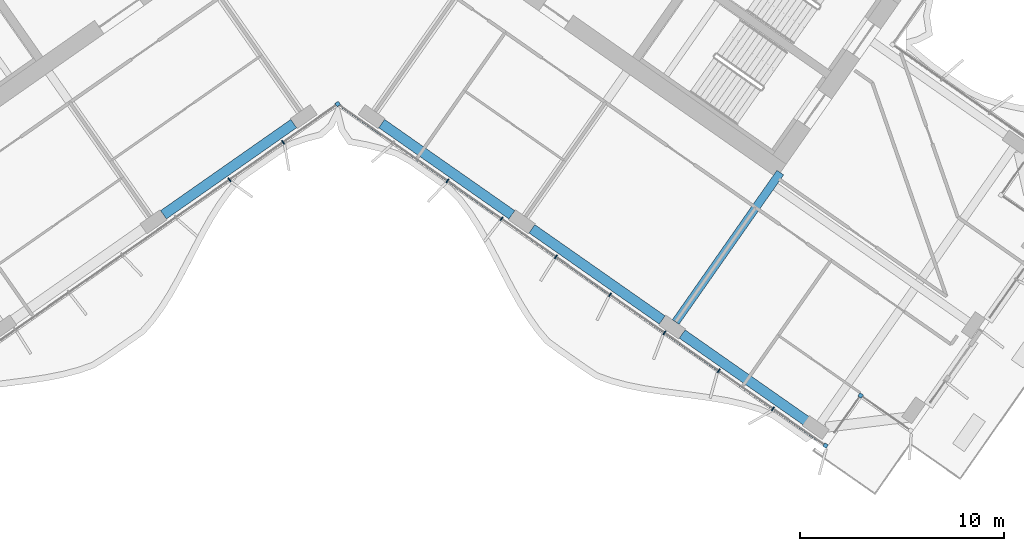
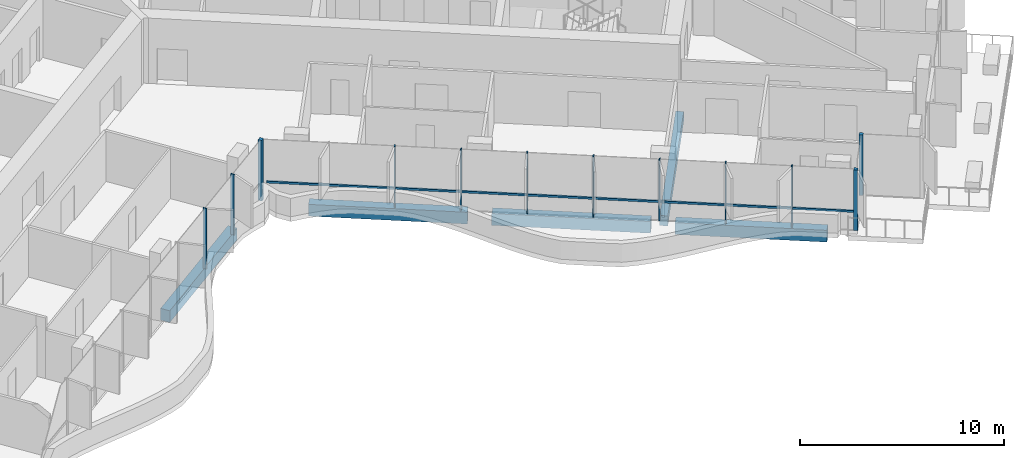
# One storey, part 5 of 23: 13 members, 5 beams, 1 element without a shape of its own.
"""IFC4 building model written with IfcOpenShell, lengths in metres."""

from ifc_helpers import new_model, si_unit, direction, frame, origin, origin_2d, place, context, subcontext, project, spatial, rectangle, extrude, material, material_profile, profile_set, type_object, element, aggregate, save


model = new_model("IFC4")

# Units and contexts
model_context = context("Model", 3, precision=1e-05, world=origin(), true_north=direction((0.0, 1.0)))
body_context = subcontext(model_context, "Body", "Model", "MODEL_VIEW")
ifc_project = project(units=[si_unit("LENGTHUNIT", "METRE"), si_unit("AREAUNIT", "SQUARE_METRE"), si_unit("VOLUMEUNIT", "CUBIC_METRE"), si_unit("PLANEANGLEUNIT", "RADIAN"), si_unit("MASSUNIT", "GRAM", prefix="KILO")], contexts=[model_context])

# Site, building, storey
site_placement = place(None, origin())
site = spatial("IfcSite", under=ifc_project, at=site_placement, CompositionType="ELEMENT")
building_placement = place(site_placement, origin())
building = spatial("IfcBuilding", under=site, at=building_placement, Name="Tel Ilan Convention Tower", CompositionType="ELEMENT")
storey_placement = place(building_placement, frame((0.0, 0.0, 190.5)))
storey = spatial("IfcBuildingStorey", under=building, at=storey_placement, Name="L44", CompositionType="ELEMENT", Elevation=190.5)

# Beams
ifc_material_1 = material(Name="Concrete C40/50", Category="concrete")
ifc_material_profile_1 = material_profile(ifc_material_1, rectangle(XDim=0.39990234375, YDim=0.60009765625, at=origin_2d()), Name="RC 400x600")
ifc_profile_set_1 = profile_set([ifc_material_profile_1], Name="Concrete C40/50")
beam_type_1 = type_object("IfcBeamType", Name="Beam RC 400x600 Concrete C40/50", PredefinedType="BEAM", material=ifc_profile_set_1)
beam_1_placement = place(storey_placement, frame((16.58203125, -23.391357421875, -0.580078125), z_axis=(0.573584999642, 0.819146048141, 0.0), x_axis=(-0.819146048141, 0.573584999642, 0.0)))
element("IfcBeam", 1, at=beam_1_placement, inside=storey, type_object=beam_type_1, Name="L44 beam E-E-F3-core", PredefinedType="BEAM", context=body_context, shape_type="SweptSolid", body=[
    extrude(rectangle(XDim=0.39990234375, YDim=0.60009765625, at=origin_2d()), origin(), (0.0, 0.0, 1.0), 8.949951171875),
])
ifc_material_2 = material(Name="Concrete C40/50", Category="concrete")
ifc_material_profile_2 = material_profile(ifc_material_2, rectangle(XDim=0.5, YDim=0.699951171875, at=origin_2d()), Name="RC 500x700")
ifc_profile_set_2 = profile_set([ifc_material_profile_2], Name="Concrete C40/50")
beam_type_2 = type_object("IfcBeamType", Name="Beam RC 500x700 Concrete C40/50", PredefinedType="BEAM", material=ifc_profile_set_2)
for number, where, z_axis, x_axis, name in (
    (2, (-2.15673828125, -13.656982421875, -0.6298828125), (-0.819153977895, -0.573573674866, 0.0), (0.573573674866, -0.819153977895, 0.0), "L44 beam W-W-F1-W-F2"),
    (3, (2.15673828125, -13.656982421875, -0.6298828125), (0.819153977895, -0.573573674866, 0.0), (0.573573674866, 0.819153977895, 0.0), "L44 beam E-E-F1-E-F2"),
    (4, (9.529052734375, -18.819091796875, -0.6298828125), (0.819153977895, -0.573573674866, 0.0), (0.573573674866, 0.819153977895, 0.0), "L44 beam E-E-F2-E-F3"),
):
    element("IfcBeam", number, at=place(storey_placement, frame(where, z_axis=z_axis, x_axis=x_axis)), inside=storey, type_object=beam_type_2, Name=name, PredefinedType="BEAM", context=body_context, shape_type="SweptSolid", body=[
        extrude(rectangle(XDim=0.5, YDim=0.699951171875, at=origin_2d()), origin(), (0.0, 0.0, 1.0), 7.800048828125),
    ])
beam_2_placement = place(storey_placement, frame((16.901611328125, -23.981201171875, -0.6298828125), z_axis=(0.819147400187, -0.573583068759, 0.0), x_axis=(0.573583068759, 0.819147400187, 0.0)))
element("IfcBeam", 5, at=beam_2_placement, inside=storey, type_object=beam_type_2, Name="L44 beam E-E-F3-E-FC", PredefinedType="BEAM", context=body_context, shape_type="SweptSolid", body=[
    extrude(rectangle(XDim=0.5, YDim=0.699951171875, at=origin_2d()), origin(), (0.0, 0.0, 1.0), 7.46435546875),
])

# Curtain wall, members
ifc_material_3 = material(Name="Aluminium, bronze anodised", Category="aluminium")
curtain_wall_type = type_object("IfcCurtainWallType", Name="CW4 STICK CURTAIN WALL, OFFICE TINTED GLASS", PredefinedType="NOTDEFINED", material=ifc_material_3)
curtain_wall_placement = place(storey_placement, origin())
curtain_wall = element("IfcCurtainWall", 6, at=curtain_wall_placement, inside=storey, type_object=curtain_wall_type, Name="Curtain wall CW4-34.04", PredefinedType="NOTDEFINED")
ifc_material_4 = material(Name="Aluminium, bronze anodised", Category="aluminium")
ifc_material_profile_3 = material_profile(ifc_material_4, rectangle(XDim=0.199951171875, YDim=0.199951171875, at=origin_2d()), Name="CW CORNER MULLION 200x200")
ifc_profile_set_3 = profile_set([ifc_material_profile_3], Name="Aluminium, bronze anodised")
member_type_1 = type_object("IfcMemberType", Name="CW CORNER MULLION 200x200", PredefinedType="MULLION", material=ifc_profile_set_3)
member_1_placement = place(storey_placement, frame((0.0, -12.696044921875, 0.0), z_axis=(0.0, 0.0, 1.0), x_axis=(0.819152044289, 0.573576436351, 0.0)))
member_1 = element("IfcMember", 7, at=member_1_placement, type_object=member_type_1, Name="Corner mullion", PredefinedType="MULLION", context=body_context, shape_type="SweptSolid", body=[
    extrude(rectangle(XDim=0.199951171875, YDim=0.199951171875, at=origin_2d()), origin(), (0.0, 0.0, 1.0), 3.6201171875),
])
member_2_placement = place(storey_placement, frame((23.933837890625, -29.454833984375, 0.0), z_axis=(0.0, 0.0, 1.0), x_axis=(0.819152044289, -0.573576436351, 0.0)))
member_2 = element("IfcMember", 8, at=member_2_placement, type_object=member_type_1, Name="Corner mullion", PredefinedType="MULLION", context=body_context, shape_type="SweptSolid", body=[
    extrude(rectangle(XDim=0.199951171875, YDim=0.199951171875, at=origin_2d()), origin(), (0.0, 0.0, 1.0), 3.6201171875),
])
member_3_placement = place(storey_placement, frame((25.654541015625, -26.997314453125, 0.0), z_axis=(0.0, 0.0, 1.0), x_axis=(0.573576436351, 0.819152044289, 0.0)))
member_3 = element("IfcMember", 9, at=member_3_placement, type_object=member_type_1, Name="Corner mullion", PredefinedType="MULLION", context=body_context, shape_type="SweptSolid", body=[
    extrude(rectangle(XDim=0.199951171875, YDim=0.199951171875, at=origin_2d()), origin(), (0.0, 0.0, 1.0), 3.6201171875),
])
ifc_material_5 = material(Name="Aluminium, bronze anodised", Category="aluminium")
ifc_material_profile_4 = material_profile(ifc_material_5, rectangle(XDim=0.06005859375, YDim=0.199951171875, at=origin_2d()), Name="CW MULLION 60x200")
ifc_profile_set_4 = profile_set([ifc_material_profile_4], Name="Aluminium, bronze anodised")
member_type_2 = type_object("IfcMemberType", Name="CW MULLION 60x200", PredefinedType="MULLION", material=ifc_profile_set_4)
member_4_placement = place(storey_placement, frame((-5.307861328125, -16.41259765625, 0.0), z_axis=(0.0, 0.0, 1.0), x_axis=(0.819152044289, 0.573576436351, 0.0)))
member_4 = element("IfcMember", 10, at=member_4_placement, type_object=member_type_2, Name="Mullion", PredefinedType="MULLION", context=body_context, shape_type="SweptSolid", body=[
    extrude(rectangle(XDim=0.06005859375, YDim=0.199951171875, at=origin_2d()), origin(), (0.0, 0.0, 1.0), 3.6201171875),
])
member_5_placement = place(storey_placement, frame((-2.6826171875, -14.574462890625, 0.0), z_axis=(0.0, 0.0, 1.0), x_axis=(0.819152044289, 0.573576436351, 0.0)))
member_5 = element("IfcMember", 11, at=member_5_placement, type_object=member_type_2, Name="Mullion", PredefinedType="MULLION", context=body_context, shape_type="SweptSolid", body=[
    extrude(rectangle(XDim=0.06005859375, YDim=0.199951171875, at=origin_2d()), origin(), (0.0, 0.0, 1.0), 3.6201171875),
])
member_6_placement = place(storey_placement, frame((5.38134765625, -16.464111328125, 0.0), z_axis=(0.0, 0.0, 1.0), x_axis=(0.819152044289, -0.573576436351, 0.0)))
member_6 = element("IfcMember", 12, at=member_6_placement, type_object=member_type_2, Name="Mullion", PredefinedType="MULLION", context=body_context, shape_type="SweptSolid", body=[
    extrude(rectangle(XDim=0.06005859375, YDim=0.199951171875, at=origin_2d()), origin(), (0.0, 0.0, 1.0), 3.6201171875),
])
member_7_placement = place(storey_placement, frame((8.04345703125, -18.328125, 0.0), z_axis=(0.0, 0.0, 1.0), x_axis=(0.819152044289, -0.573576436351, 0.0)))
member_7 = element("IfcMember", 13, at=member_7_placement, type_object=member_type_2, Name="Mullion", PredefinedType="MULLION", context=body_context, shape_type="SweptSolid", body=[
    extrude(rectangle(XDim=0.06005859375, YDim=0.199951171875, at=origin_2d()), origin(), (0.0, 0.0, 1.0), 3.6201171875),
])
member_8_placement = place(storey_placement, frame((10.70556640625, -20.192138671875, 0.0), z_axis=(0.0, 0.0, 1.0), x_axis=(0.819152044289, -0.573576436351, 0.0)))
member_8 = element("IfcMember", 14, at=member_8_placement, type_object=member_type_2, Name="Mullion", PredefinedType="MULLION", context=body_context, shape_type="SweptSolid", body=[
    extrude(rectangle(XDim=0.06005859375, YDim=0.199951171875, at=origin_2d()), origin(), (0.0, 0.0, 1.0), 3.6201171875),
])
member_9_placement = place(storey_placement, frame((13.36767578125, -22.05615234375, 0.0), z_axis=(0.0, 0.0, 1.0), x_axis=(0.819152044289, -0.573576436351, 0.0)))
member_9 = element("IfcMember", 15, at=member_9_placement, type_object=member_type_2, Name="Mullion", PredefinedType="MULLION", context=body_context, shape_type="SweptSolid", body=[
    extrude(rectangle(XDim=0.06005859375, YDim=0.199951171875, at=origin_2d()), origin(), (0.0, 0.0, 1.0), 3.6201171875),
])
member_10_placement = place(storey_placement, frame((16.029541015625, -23.920166015625, 0.0), z_axis=(0.0, 0.0, 1.0), x_axis=(0.819152044289, -0.573576436351, 0.0)))
member_10 = element("IfcMember", 16, at=member_10_placement, type_object=member_type_2, Name="Mullion", PredefinedType="MULLION", context=body_context, shape_type="SweptSolid", body=[
    extrude(rectangle(XDim=0.06005859375, YDim=0.199951171875, at=origin_2d()), origin(), (0.0, 0.0, 1.0), 3.6201171875),
])
member_11_placement = place(storey_placement, frame((18.691650390625, -25.7841796875, 0.0), z_axis=(0.0, 0.0, 1.0), x_axis=(0.819152044289, -0.573576436351, 0.0)))
member_11 = element("IfcMember", 17, at=member_11_placement, type_object=member_type_2, Name="Mullion", PredefinedType="MULLION", context=body_context, shape_type="SweptSolid", body=[
    extrude(rectangle(XDim=0.06005859375, YDim=0.199951171875, at=origin_2d()), origin(), (0.0, 0.0, 1.0), 3.6201171875),
])
member_12_placement = place(storey_placement, frame((21.353759765625, -27.648193359375, 0.0), z_axis=(0.0, 0.0, 1.0), x_axis=(0.819152044289, -0.573576436351, 0.0)))
member_12 = element("IfcMember", 18, at=member_12_placement, type_object=member_type_2, Name="Mullion", PredefinedType="MULLION", context=body_context, shape_type="SweptSolid", body=[
    extrude(rectangle(XDim=0.06005859375, YDim=0.199951171875, at=origin_2d()), origin(), (0.0, 0.0, 1.0), 3.6201171875),
])
ifc_material_6 = material(Name="Aluminium, bronze anodised", Category="aluminium")
ifc_material_profile_5 = material_profile(ifc_material_6, rectangle(XDim=0.10009765625, YDim=0.1201171875, at=origin_2d()), Name="CW TRANSOM 100x120")
ifc_profile_set_5 = profile_set([ifc_material_profile_5], Name="Aluminium, bronze anodised")
member_type_3 = type_object("IfcMemberType", Name="CW TRANSOM 100x120", PredefinedType="USERDEFINED", material=ifc_profile_set_5)
member_13_placement = place(storey_placement, frame((0.22119140625, -12.850830078125, 1.10009765625), z_axis=(0.819150008568, -0.573579343651, 0.0), x_axis=(0.573579343651, 0.819150008568, 0.0)))
member_13 = element("IfcMember", 19, at=member_13_placement, type_object=member_type_3, Name="Transom", ObjectType="TRANSOM", PredefinedType="USERDEFINED", context=body_context, shape_type="SweptSolid", body=[
    extrude(rectangle(XDim=0.10009765625, YDim=0.1201171875, at=origin_2d()), origin(), (0.0, 0.0, 1.0), 28.84814453125),
])
aggregate(curtain_wall, [member_4, member_5, member_1, member_6, member_7, member_8, member_9, member_10, member_11, member_12, member_2, member_13, member_3])

save(model, "model.ifc")
